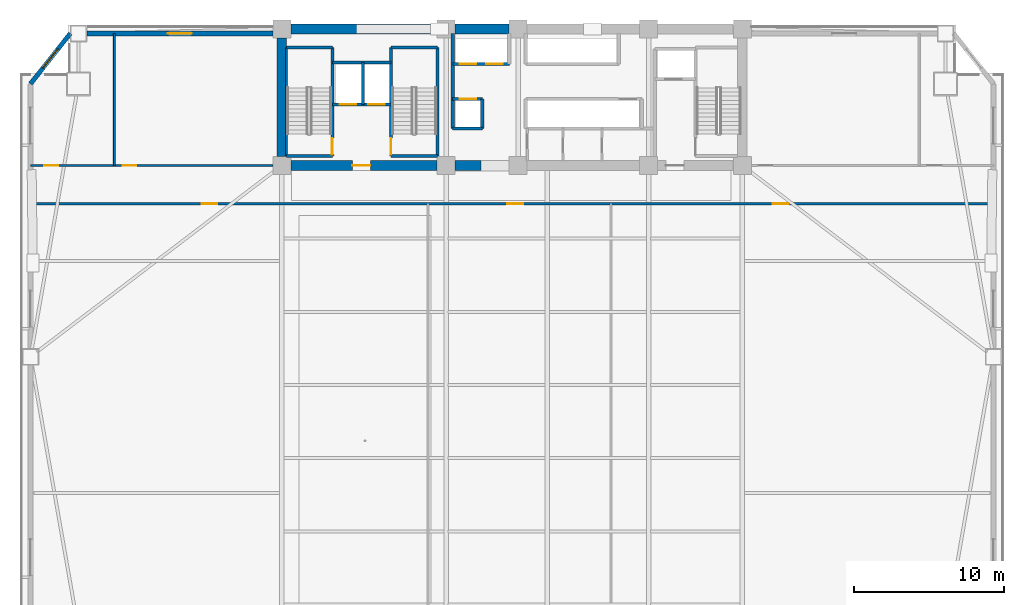
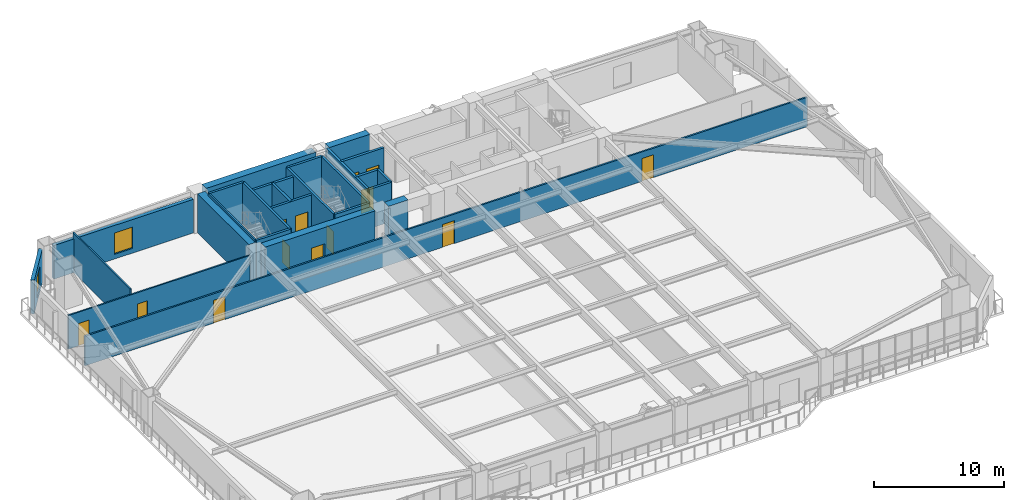
# One storey, part 9 of 17: 26 walls, 13 doors, 2 windows, 15 openings.
"""IFC4 building model written with IfcOpenShell, lengths in metres."""

import ifcopenshell
import ifcopenshell.guid

model = None  # the IFC model being written
_history = None  # IfcOwnerHistory: only IFC2X3 demands one
_inside = {}  # id of a spatial element -> (the spatial element, [elements in it])
_under = {}  # id of a project, library or spatial element -> (it, [spatial elements below it])
_declared = {}  # id of a project -> (the project, [libraries it declares])
_typed = {}  # id of a type object -> (the type object, [elements of that type])
_made_of = {}  # id of a material, layer set ... -> (it, [elements and type objects made of it])


def new_model(schema):
    """Start an empty IFC model of exactly this schema.

    Asked for "IFC4X3", IfcOpenShell would pick the latest addendum, in which some entities
    have other attributes; the version numbers below select the first issue.
    IFC2X3 requires an IfcOwnerHistory on every rooted entity: one is made here for all.
    """
    global model, _history
    if schema == "IFC4X3":
        model = ifcopenshell.file(schema_version=(4, 3, 0, 0))
    else:
        model = ifcopenshell.file(schema=schema)
    _inside.clear()
    _under.clear()
    _declared.clear()
    _typed.clear()
    _made_of.clear()
    _history = None
    if model.schema == "IFC2X3":
        org = make("IfcOrganization", Name="unknown")
        user = make(
            "IfcPersonAndOrganization",
            ThePerson=make("IfcPerson", FamilyName="unknown"),
            TheOrganization=org,
        )
        app = make(
            "IfcApplication",
            ApplicationDeveloper=org,
            Version="unknown",
            ApplicationFullName="unknown",
            ApplicationIdentifier="unknown",
        )
        _history = make(
            "IfcOwnerHistory",
            OwningUser=user,
            OwningApplication=app,
            ChangeAction="ADDED",
            CreationDate=0,
        )
    return model


def make(cls, **values):
    """One entity of the class cls with the attributes given. An attribute that is None is left unset."""
    return model.create_entity(
        cls, **{name: value for name, value in values.items() if value is not None}
    )


def rooted(cls, **values):
    """An entity with a GlobalId (a new one), such as an element, a storey or a relation."""
    return make(cls, GlobalId=ifcopenshell.guid.new(), OwnerHistory=_history, **values)


def si_unit(unit_type, name, prefix=None):
    """IfcSIUnit, for example si_unit("LENGTHUNIT", "METRE", prefix="MILLI")."""
    return make("IfcSIUnit", UnitType=unit_type, Prefix=prefix, Name=name)


def assignment(units):
    """IfcUnitAssignment: the units of a project."""
    return None if units is None else make("IfcUnitAssignment", Units=units)


def point(xyz):
    """IfcCartesianPoint."""
    return None if xyz is None else make("IfcCartesianPoint", Coordinates=xyz)


def direction(xyz):
    """IfcDirection."""
    return None if xyz is None else make("IfcDirection", DirectionRatios=xyz)


def frame(location, z_axis=None, x_axis=None):
    """IfcAxis2Placement3D, a coordinate frame: its origin and axes. An axis left out is left unset."""
    return make(
        "IfcAxis2Placement3D",
        Location=point(location),
        Axis=direction(z_axis),
        RefDirection=direction(x_axis),
    )


def frame_2d(location, x_axis=None):
    """IfcAxis2Placement2D, a coordinate frame in the plane: its origin and x axis."""
    return make(
        "IfcAxis2Placement2D", Location=point(location), RefDirection=direction(x_axis)
    )


def origin():
    """The frame at (0, 0, 0) with its axes left unset."""
    return frame((0.0, 0.0, 0.0))


def place(relative_to, where):
    """IfcLocalPlacement: puts the frame where relative to a parent placement (None: the world)."""
    return make(
        "IfcLocalPlacement", PlacementRelTo=relative_to, RelativePlacement=where
    )


def context(
    kind, dimensions, precision=None, world=None, true_north=None, identifier=None
):
    """IfcGeometricRepresentationContext, for example the 3D "Model" context."""
    return make(
        "IfcGeometricRepresentationContext",
        ContextIdentifier=identifier,
        ContextType=kind,
        CoordinateSpaceDimension=dimensions,
        Precision=precision,
        WorldCoordinateSystem=world,
        TrueNorth=true_north,
    )


def subcontext(parent, identifier, kind, view, scale=None):
    """IfcGeometricRepresentationSubContext, for example "Body" below "Model"."""
    return make(
        "IfcGeometricRepresentationSubContext",
        ContextIdentifier=identifier,
        ContextType=kind,
        ParentContext=parent,
        TargetScale=scale,
        TargetView=view,
    )


def project(units=None, contexts=None):
    """IfcProject with its units and contexts."""
    return rooted(
        "IfcProject",
        Name="project",
        RepresentationContexts=contexts,
        UnitsInContext=assignment(units),
    )


def spatial(cls, under=None, at=None, **own):
    """A site, building, storey or space (cls), placed at a placement, below another one or the project."""
    s = rooted(cls, ObjectPlacement=at, **own)
    if under is not None:
        _under.setdefault(under.id(), (under, []))[1].append(s)
    return s


def profile(cls, at=None, kind="AREA", **sizes):
    """A parametric profile (cls). Its sizes go by their IFC names, for example OverallWidth=200.0."""
    return make(cls, ProfileType=kind, Position=at, **sizes)


def rectangle(**sizes):
    """IfcRectangleProfileDef."""
    return profile("IfcRectangleProfileDef", **sizes)


def extrude(swept, where, along, depth):
    """IfcExtrudedAreaSolid: the profile swept, set in the frame where, extruded along a direction by depth."""
    return make(
        "IfcExtrudedAreaSolid",
        SweptArea=swept,
        Position=where,
        ExtrudedDirection=direction(along),
        Depth=depth,
    )


def shape(context_of_items, identifier, shape_type, items):
    """IfcShapeRepresentation: the items that make up one representation, for example the "Body"."""
    return make(
        "IfcShapeRepresentation",
        ContextOfItems=context_of_items,
        RepresentationIdentifier=identifier,
        RepresentationType=shape_type,
        Items=items,
    )


def source(mapping_origin, context_of_items, identifier, shape_type, items):
    """IfcRepresentationMap: a shape defined once, which mapped items show again and again."""
    return make(
        "IfcRepresentationMap",
        MappingOrigin=mapping_origin,
        MappedRepresentation=shape(context_of_items, identifier, shape_type, items),
    )


def transform(
    local_origin,
    x_axis=None,
    y_axis=None,
    z_axis=None,
    scale=None,
    scale2=None,
    scale3=None,
    uniform=True,
):
    """IfcCartesianTransformationOperator3D, or its non-uniform kind. x_axis, y_axis, z_axis: its Axis1, 2, 3."""
    if uniform:
        return make(
            "IfcCartesianTransformationOperator3D",
            Axis1=direction(x_axis),
            Axis2=direction(y_axis),
            LocalOrigin=point(local_origin),
            Scale=scale,
            Axis3=direction(z_axis),
        )
    return make(
        "IfcCartesianTransformationOperator3DnonUniform",
        Axis1=direction(x_axis),
        Axis2=direction(y_axis),
        LocalOrigin=point(local_origin),
        Scale=scale,
        Axis3=direction(z_axis),
        Scale2=scale2,
        Scale3=scale3,
    )


def mapped(mapping_source, mapping_target):
    """IfcMappedItem: shows the shape of a source again, moved by a transform."""
    return make(
        "IfcMappedItem", MappingSource=mapping_source, MappingTarget=mapping_target
    )


def material(Name=None, Category=None):
    """IfcMaterial."""
    return make("IfcMaterial", Name=Name, Category=Category)


def layer(
    of_material, thickness, ventilated=None, Name=None, Category=None, Priority=None
):
    """IfcMaterialLayer: one layer of a wall or slab, of a material (None: an air gap)."""
    return make(
        "IfcMaterialLayer",
        Material=of_material,
        LayerThickness=thickness,
        IsVentilated=ventilated,
        Name=Name,
        Category=Category,
        Priority=Priority,
    )


def layer_set(layers, Name=None):
    """IfcMaterialLayerSet."""
    return make("IfcMaterialLayerSet", MaterialLayers=layers, LayerSetName=Name)


def made_of(thing, what):
    """Note that an element or type object is made of a material, layer set ...; save() writes the relation."""
    if what is not None:
        _made_of.setdefault(what.id(), (what, []))[1].append(thing)
    return thing


def type_object(cls, material=None, **own):
    """A type object (cls), such as IfcWallType, which elements share."""
    return made_of(rooted(cls, **own), material)


def element(
    cls,
    number,
    at=None,
    inside=None,
    cuts=None,
    type_object=None,
    material=None,
    context=None,
    identifier="Body",
    shape_type=None,
    held_by="IfcProductDefinitionShape",
    body=None,
    shapes=None,
    **own,
):
    """One element of the class cls, such as IfcWall. Its Tag is "e" and its number.

    at: its placement. inside: the storey or other place that contains it. cuts: it is an
    opening in that element (IfcRelVoidsElement). A single representation is given by context,
    identifier, shape_type and body (its items); several are given by shapes. held_by: the class
    of the entity that holds the representations. save() writes the other relations.
    """
    e = rooted(cls, Tag="e%d" % number, ObjectPlacement=at, **own)
    if body is not None:
        shapes = [shape(context, identifier, shape_type, body)]
    if shapes is not None:
        e.Representation = make(held_by, Representations=shapes)
    if inside is not None:
        _inside.setdefault(inside.id(), (inside, []))[1].append(e)
    if cuts is not None:
        rooted(
            "IfcRelVoidsElement", RelatingBuildingElement=cuts, RelatedOpeningElement=e
        )
    if type_object is not None:
        _typed.setdefault(type_object.id(), (type_object, []))[1].append(e)
    return made_of(e, material)


def fill(opening, filler):
    """IfcRelFillsElement: the door or window that sits in an opening."""
    return rooted(
        "IfcRelFillsElement",
        RelatingOpeningElement=opening,
        RelatedBuildingElement=filler,
    )


def aggregate(whole, parts):
    """IfcRelAggregates: a whole, such as a stair, and the parts it consists of."""
    return rooted("IfcRelAggregates", RelatingObject=whole, RelatedObjects=parts)


def save(model, path):
    """Write the relations noted so far, then the file.

    IfcRelAggregates (storeys below a building ...), IfcRelContainedInSpatialStructure (elements
    in a storey), IfcRelDefinesByType, IfcRelAssociatesMaterial and IfcRelDeclares: one each for
    every whole, place, type object, material and project.
    """
    for whole, parts in _under.values():
        aggregate(whole, parts)
    for where, things in _inside.values():
        rooted(
            "IfcRelContainedInSpatialStructure",
            RelatedElements=things,
            RelatingStructure=where,
        )
    for kind, things in _typed.values():
        rooted("IfcRelDefinesByType", RelatedObjects=things, RelatingType=kind)
    for what, things in _made_of.values():
        rooted("IfcRelAssociatesMaterial", RelatedObjects=things, RelatingMaterial=what)
    for by, libraries in _declared.values():
        rooted("IfcRelDeclares", RelatingContext=by, RelatedDefinitions=libraries)
    model.write(path)


model = new_model("IFC4")

# Units and contexts
model_context = context("Model", 3, precision=1e-05, world=origin(), true_north=direction((0.0, 1.0)))
body_context = subcontext(model_context, "Body", "Model", "MODEL_VIEW")
ifc_project = project(units=[si_unit("LENGTHUNIT", "METRE"), si_unit("AREAUNIT", "SQUARE_METRE"), si_unit("VOLUMEUNIT", "CUBIC_METRE"), si_unit("PLANEANGLEUNIT", "RADIAN"), si_unit("MASSUNIT", "GRAM", prefix="KILO")], contexts=[model_context])

# Site, building, storey
site_placement = place(None, origin())
site = spatial("IfcSite", under=ifc_project, at=site_placement, CompositionType="ELEMENT")
building_placement = place(site_placement, origin())
building = spatial("IfcBuilding", under=site, at=building_placement, Name="Giltprow Tower", CompositionType="ELEMENT")
storey_placement = place(building_placement, frame((0.0, 0.0, 29.300048828125)))
storey = spatial("IfcBuildingStorey", under=building, at=storey_placement, Name="L07", CompositionType="ELEMENT", Elevation=29.300048828125)

# Wall, opening, window
ifc_material_1 = material(Name="Precast concrete C40", Category="concrete")
ifc_layer_1 = layer(ifc_material_1, 0.300048828125, Name="Precast concrete C40")
ifc_layer_set_1 = layer_set([ifc_layer_1], Name="Precast concrete C40")
wall_type_1 = type_object("IfcWallType", Name="EW-NOTCH-CHAMFER-300", PredefinedType="SOLIDWALL", material=ifc_layer_set_1)
wall_1_placement = place(storey_placement, frame((5.75, 46.25, 0.0), z_axis=(0.0, 0.0, 1.0), x_axis=(-0.620377885234, -0.784303053361, 0.0)))
wall_1 = element("IfcWall", 1, at=wall_1_placement, inside=storey, type_object=wall_type_1, Name="L07 Corner Notch Wall NW", PredefinedType="SOLIDWALL", context=body_context, shape_type="SweptSolid", body=[
    extrude(rectangle(XDim=4.271484375, YDim=0.300048828125, at=frame_2d((2.1357421875, 0.0))), origin(), (0.0, 0.0, 1.0), 3.159912109375),
])
opening_1_placement = place(wall_1_placement, frame((1.3359375, 0.0, 0.449951171875)))
opening_1 = element("IfcOpeningElement", 2, at=opening_1_placement, cuts=wall_1, Name="Opening WN17", PredefinedType="OPENING", context=body_context, shape_type="SweptSolid", body=[
    extrude(rectangle(XDim=1.60009765625, YDim=2.0, at=frame_2d((0.800048828125, 1.0))), frame((0.0, 0.159912109375, 0.0), z_axis=(0.0, -1.0, 0.0), x_axis=(1.0, 0.0, 0.0)), (0.0, 0.0, 1.0), 0.320068359375),
])
ifc_material_2 = material(Name="Insulated glass", Category="glass")
window_type = type_object("IfcWindowType", Name="WN-COR-1600x2000", PartitioningType="SINGLE_PANEL", PredefinedType="WINDOW", material=ifc_material_2)
shared_shape_1 = source(origin(), body_context, "Body", "SweptSolid", [
    extrude(rectangle(XDim=1.60009765625, YDim=2.0, at=frame_2d((0.800048828125, 1.0))), frame((0.0, 0.030029296875, 0.0), z_axis=(0.0, -1.0, 0.0), x_axis=(1.0, 0.0, 0.0)), (0.0, 0.0, 1.0), 0.06005859375),
])
window_1_placement = place(opening_1_placement, origin())
window_1 = element("IfcWindow", 3, at=window_1_placement, inside=storey, type_object=window_type, Name="L07 Corner Notch Window NW", OverallHeight=2.0, OverallWidth=1.60009765625, PartitioningType="SINGLE_PANEL", PredefinedType="WINDOW", context=body_context, shape_type="MappedRepresentation", body=[
    mapped(shared_shape_1, transform((0.0, 0.0, 0.0), x_axis=(1.0, 0.0, 0.0), y_axis=(0.0, 1.0, 0.0), z_axis=(0.0, 0.0, 1.0), scale=1.0)),
])
fill(opening_1, window_1)

ifc_layer_2 = layer(ifc_material_1, 0.320068359375, Name="Precast concrete C40")
ifc_layer_set_2 = layer_set([ifc_layer_2], Name="Precast concrete C40")
wall_type_2 = type_object("IfcWallType", Name="EW-TOW-STONE-320", PredefinedType="SOLIDWALL", material=ifc_layer_set_2)
wall_2_placement = place(storey_placement, frame((6.85009765625, 46.25, 0.0), z_axis=(0.0, 0.0, 1.0), x_axis=(1.0, 0.0, 0.0)))
wall_2 = element("IfcWall", 4, at=wall_2_placement, inside=storey, type_object=wall_type_2, Name="L07 North-West Wing Wall", PredefinedType="SOLIDWALL", context=body_context, shape_type="SweptSolid", body=[
    extrude(rectangle(XDim=12.39990234375, YDim=0.320068359375, at=frame_2d((6.199951171875, 0.0))), origin(), (0.0, 0.0, 1.0), 3.159912109375),
])
opening_2_placement = place(wall_2_placement, frame((5.39990234375, 0.0, 0.449951171875)))
opening_2 = element("IfcOpeningElement", 5, at=opening_2_placement, cuts=wall_2, Name="Opening WN17", PredefinedType="OPENING", context=body_context, shape_type="SweptSolid", body=[
    extrude(rectangle(XDim=1.60009765625, YDim=2.0, at=frame_2d((0.800048828125, 1.0))), frame((0.0, 0.169921875, 0.0), z_axis=(0.0, -1.0, 0.0), x_axis=(1.0, 0.0, 0.0)), (0.0, 0.0, 1.0), 0.340087890625),
])
window_2_placement = place(opening_2_placement, origin())
window_2 = element("IfcWindow", 6, at=window_2_placement, inside=storey, type_object=window_type, Name="L07 North-West Window", OverallHeight=2.0, OverallWidth=1.60009765625, PartitioningType="SINGLE_PANEL", PredefinedType="WINDOW", context=body_context, shape_type="MappedRepresentation", body=[
    mapped(shared_shape_1, transform((0.0, 0.0, 0.0), x_axis=(1.0, 0.0, 0.0), y_axis=(0.0, 1.0, 0.0), z_axis=(0.0, 0.0, 1.0), scale=1.0)),
])
fill(opening_2, window_2)

# Wall, openings, doors
ifc_material_3 = material(Name="Gypsum stud partition", Category="gypsum")
ifc_layer_3 = layer(ifc_material_3, 0.14990234375, Name="Gypsum stud partition")
ifc_layer_set_3 = layer_set([ifc_layer_3], Name="Gypsum stud partition")
wall_type_3 = type_object("IfcWallType", Name="IW-CORR-150", PredefinedType="PARTITIONING", material=ifc_layer_set_3)
wall_3_placement = place(storey_placement, frame((3.10009765625, 34.89990234375, 0.0), z_axis=(0.0, 0.0, 1.0), x_axis=(1.0, 0.0, 0.0)))
wall_3 = element("IfcWall", 7, at=wall_3_placement, inside=storey, type_object=wall_type_3, Name="L07 Office Loop Corridor Wall", PredefinedType="PARTITIONING", context=body_context, shape_type="SweptSolid", body=[
    extrude(rectangle(XDim=64.199951171875, YDim=0.14990234375, at=frame_2d((32.10009765625, 0.0))), origin(), (0.0, 0.0, 1.0), 2.764892578125),
])
opening_3_placement = place(wall_3_placement, frame((11.408935546875, 0.0, 0.0)))
opening_3 = element("IfcOpeningElement", 8, at=opening_3_placement, cuts=wall_3, Name="Opening ID31", PredefinedType="OPENING", context=body_context, shape_type="SweptSolid", body=[
    extrude(rectangle(XDim=1.050048828125, YDim=2.14990234375, at=frame_2d((0.52490234375, 1.074951171875))), frame((0.0, 0.0849609375, 0.0), z_axis=(0.0, -1.0, 0.0), x_axis=(1.0, 0.0, 0.0)), (0.0, 0.0, 1.0), 0.169921875),
])
opening_4_placement = place(wall_3_placement, frame((31.787109375, 0.0, 0.0)))
opening_4 = element("IfcOpeningElement", 9, at=opening_4_placement, cuts=wall_3, Name="Opening ID31", PredefinedType="OPENING", context=body_context, shape_type="SweptSolid", body=[
    extrude(rectangle(XDim=1.050048828125, YDim=2.14990234375, at=frame_2d((0.52490234375, 1.074951171875))), frame((0.0, 0.0849609375, 0.0), z_axis=(0.0, -1.0, 0.0), x_axis=(1.0, 0.0, 0.0)), (0.0, 0.0, 1.0), 0.169921875),
])
opening_5_placement = place(wall_3_placement, frame((49.489013671875, 0.0, 0.0)))
opening_5 = element("IfcOpeningElement", 10, at=opening_5_placement, cuts=wall_3, Name="Opening ID31", PredefinedType="OPENING", context=body_context, shape_type="SweptSolid", body=[
    extrude(rectangle(XDim=1.050048828125, YDim=2.14990234375, at=frame_2d((0.52490234375, 1.074951171875))), frame((0.0, 0.0849609375, 0.0), z_axis=(0.0, -1.0, 0.0), x_axis=(1.0, 0.0, 0.0)), (0.0, 0.0, 1.0), 0.169921875),
])
ifc_material_4 = material(Name="Engineered timber", Category="wood")
door_type_1 = type_object("IfcDoorType", Name="DR-SUITE-1050", OperationType="SINGLE_SWING_LEFT", PredefinedType="DOOR", material=ifc_material_4)
shared_shape_2 = source(origin(), body_context, "Body", "SweptSolid", [
    extrude(rectangle(XDim=1.050048828125, YDim=2.14990234375, at=frame_2d((0.52490234375, 1.074951171875))), frame((0.0, 0.02490234375, 0.0), z_axis=(0.0, -1.0, 0.0), x_axis=(1.0, 0.0, 0.0)), (0.0, 0.0, 1.0), 0.050048828125),
])
door_1_placement = place(opening_3_placement, origin())
door_1 = element("IfcDoor", 11, at=door_1_placement, inside=storey, type_object=door_type_1, Name="L07 Open-Plan Harbour Office 1 Door", OperationType="SINGLE_SWING_RIGHT", OverallHeight=2.14990234375, OverallWidth=1.050048828125, PredefinedType="DOOR", context=body_context, shape_type="MappedRepresentation", body=[
    mapped(shared_shape_2, transform((0.0, 0.0, 0.0), x_axis=(1.0, 0.0, 0.0), y_axis=(0.0, 1.0, 0.0), z_axis=(0.0, 0.0, 1.0), scale=1.0)),
])
fill(opening_3, door_1)
door_2_placement = place(opening_4_placement, origin())
door_2 = element("IfcDoor", 12, at=door_2_placement, inside=storey, type_object=door_type_1, Name="L07 Advisory Floorplate Office 2 Door", OperationType="SINGLE_SWING_LEFT", OverallHeight=2.14990234375, OverallWidth=1.050048828125, PredefinedType="DOOR", context=body_context, shape_type="MappedRepresentation", body=[
    mapped(shared_shape_2, transform((0.0, 0.0, 0.0), x_axis=(1.0, 0.0, 0.0), y_axis=(0.0, 1.0, 0.0), z_axis=(0.0, 0.0, 1.0), scale=1.0)),
])
fill(opening_4, door_2)
door_3_placement = place(opening_5_placement, origin())
door_3 = element("IfcDoor", 13, at=door_3_placement, inside=storey, type_object=door_type_1, Name="L07 Trading Floorplate Office 3 Door", OperationType="SINGLE_SWING_RIGHT", OverallHeight=2.14990234375, OverallWidth=1.050048828125, PredefinedType="DOOR", context=body_context, shape_type="MappedRepresentation", body=[
    mapped(shared_shape_2, transform((0.0, 0.0, 0.0), x_axis=(1.0, 0.0, 0.0), y_axis=(0.0, 1.0, 0.0), z_axis=(0.0, 0.0, 1.0), scale=1.0)),
])
fill(opening_5, door_3)

ifc_material_5 = material(Name="Concrete C40", Category="concrete")
ifc_layer_4 = layer(ifc_material_5, 0.219970703125, Name="Concrete C40")
ifc_layer_set_4 = layer_set([ifc_layer_4], Name="Concrete C40")
wall_type_4 = type_object("IfcWallType", Name="IW-SHAFT-220", PredefinedType="SOLIDWALL", material=ifc_layer_set_4)
wall_4_placement = place(storey_placement, frame((23.219970703125, 41.52001953125, 0.0), z_axis=(0.0, 0.0, 1.0), x_axis=(1.0, 0.0, 0.0)))
wall_4 = element("IfcWall", 14, at=wall_4_placement, inside=storey, type_object=wall_type_4, Name="L07 FFL1 and Service Lift Front Wall", PredefinedType="SOLIDWALL", context=body_context, shape_type="SweptSolid", body=[
    extrude(rectangle(XDim=3.919921875, YDim=0.219970703125, at=frame_2d((1.9599609375, 0.0))), origin(), (0.0, 0.0, 1.0), 3.679931640625),
])
opening_6_placement = place(wall_4_placement, frame((0.5, 0.0, 0.0)))
opening_6 = element("IfcOpeningElement", 15, at=opening_6_placement, cuts=wall_4, Name="Opening LD-11", PredefinedType="OPENING", context=body_context, shape_type="SweptSolid", body=[
    extrude(rectangle(XDim=1.10009765625, YDim=2.199951171875, at=frame_2d((0.550048828125, 1.10009765625))), frame((0.0, 0.119873046875, 0.0), z_axis=(0.0, -1.0, 0.0), x_axis=(1.0, 0.0, 0.0)), (0.0, 0.0, 1.0), 0.239990234375),
])
opening_7_placement = place(wall_4_placement, frame((2.39990234375, 0.0, 0.0)))
opening_7 = element("IfcOpeningElement", 16, at=opening_7_placement, cuts=wall_4, Name="Opening LD-11", PredefinedType="OPENING", context=body_context, shape_type="SweptSolid", body=[
    extrude(rectangle(XDim=1.10009765625, YDim=2.199951171875, at=frame_2d((0.550048828125, 1.10009765625))), frame((0.0, 0.119873046875, 0.0), z_axis=(0.0, -1.0, 0.0), x_axis=(1.0, 0.0, 0.0)), (0.0, 0.0, 1.0), 0.239990234375),
])
ifc_material_6 = material(Name="Stainless steel", Category="steel")
door_type_2 = type_object("IfcDoorType", Name="DR-LIFT-LD1100", OperationType="SLIDING_TO_LEFT", PredefinedType="DOOR", material=ifc_material_6)
shared_shape_3 = source(origin(), body_context, "Body", "SweptSolid", [
    extrude(rectangle(XDim=1.10009765625, YDim=2.199951171875, at=frame_2d((0.550048828125, 1.10009765625))), frame((0.0, 0.02490234375, 0.0), z_axis=(0.0, -1.0, 0.0), x_axis=(1.0, 0.0, 0.0)), (0.0, 0.0, 1.0), 0.050048828125),
])
door_4_placement = place(opening_6_placement, origin())
door_4 = element("IfcDoor", 17, at=door_4_placement, inside=storey, type_object=door_type_2, Name="L07 FFL1 Landing Door", OperationType="SLIDING_TO_LEFT", OverallHeight=2.199951171875, OverallWidth=1.10009765625, PredefinedType="DOOR", context=body_context, shape_type="MappedRepresentation", body=[
    mapped(shared_shape_3, transform((0.0, 0.0, 0.0), x_axis=(1.0, 0.0, 0.0), y_axis=(0.0, 1.0, 0.0), z_axis=(0.0, 0.0, 1.0), scale=1.0)),
])
fill(opening_6, door_4)
door_5_placement = place(opening_7_placement, origin())
door_5 = element("IfcDoor", 18, at=door_5_placement, inside=storey, type_object=door_type_2, Name="L07 SVL1 Landing Door", OperationType="SLIDING_TO_LEFT", OverallHeight=2.199951171875, OverallWidth=1.10009765625, PredefinedType="DOOR", context=body_context, shape_type="MappedRepresentation", body=[
    mapped(shared_shape_3, transform((0.0, 0.0, 0.0), x_axis=(1.0, 0.0, 0.0), y_axis=(0.0, 1.0, 0.0), z_axis=(0.0, 0.0, 1.0), scale=1.0)),
])
fill(opening_7, door_5)

# Walls
wall_5_placement = place(storey_placement, frame((25.260009765625, 41.52001953125, 0.0), z_axis=(0.0, 0.0, 1.0), x_axis=(0.0, 1.0, 0.0)))
element("IfcWall", 19, at=wall_5_placement, inside=storey, type_object=wall_type_4, Name="L07 FFL1-SVL1 Shaft Divider", PredefinedType="SOLIDWALL", context=body_context, shape_type="SweptSolid", body=[
    extrude(rectangle(XDim=2.800048828125, YDim=0.219970703125, at=frame_2d((1.39990234375, 0.0))), origin(), (0.0, 0.0, 1.0), 3.679931640625),
])
wall_6_placement = place(storey_placement, frame((23.219970703125, 44.320068359375, 0.0), z_axis=(0.0, 0.0, 1.0), x_axis=(1.0, 0.0, 0.0)))
element("IfcWall", 20, at=wall_6_placement, inside=storey, type_object=wall_type_4, Name="L07 FFL1-SVL1 Back Shaft Wall", PredefinedType="SOLIDWALL", context=body_context, shape_type="SweptSolid", body=[
    extrude(rectangle(XDim=3.919921875, YDim=0.219970703125, at=frame_2d((1.9599609375, 0.0))), origin(), (0.0, 0.0, 1.0), 3.679931640625),
])

# Wall, openings, doors
wall_7_placement = place(storey_placement, frame((31.25, 44.219970703125, 0.0), z_axis=(0.0, 0.0, 1.0), x_axis=(1.0, 0.0, 0.0)))
wall_7 = element("IfcWall", 21, at=wall_7_placement, inside=storey, type_object=wall_type_4, Name="L07 North West Lift Shaft Front Wall", PredefinedType="SOLIDWALL", context=body_context, shape_type="SweptSolid", body=[
    extrude(rectangle(XDim=3.77001953125, YDim=0.219970703125, at=frame_2d((1.885009765625, 0.0))), origin(), (0.0, 0.0, 1.0), 3.679931640625),
])
opening_8_placement = place(wall_7_placement, frame((0.4599609375, 0.0, 0.0)))
opening_8 = element("IfcOpeningElement", 22, at=opening_8_placement, cuts=wall_7, Name="Opening LD-11", PredefinedType="OPENING", context=body_context, shape_type="SweptSolid", body=[
    extrude(rectangle(XDim=1.10009765625, YDim=2.199951171875, at=frame_2d((0.550048828125, 1.10009765625))), frame((0.0, 0.119873046875, 0.0), z_axis=(0.0, -1.0, 0.0), x_axis=(1.0, 0.0, 0.0)), (0.0, 0.0, 1.0), 0.239990234375),
])
opening_9_placement = place(wall_7_placement, frame((2.239990234375, 0.0, 0.0)))
opening_9 = element("IfcOpeningElement", 23, at=opening_9_placement, cuts=wall_7, Name="Opening LD-11", PredefinedType="OPENING", context=body_context, shape_type="SweptSolid", body=[
    extrude(rectangle(XDim=1.10009765625, YDim=2.199951171875, at=frame_2d((0.550048828125, 1.10009765625))), frame((0.0, 0.119873046875, 0.0), z_axis=(0.0, -1.0, 0.0), x_axis=(1.0, 0.0, 0.0)), (0.0, 0.0, 1.0), 0.239990234375),
])
door_6_placement = place(opening_8_placement, origin())
door_6 = element("IfcDoor", 24, at=door_6_placement, inside=storey, type_object=door_type_2, Name="L07 PL-L1 Landing Door", OperationType="SLIDING_TO_LEFT", OverallHeight=2.199951171875, OverallWidth=1.10009765625, PredefinedType="DOOR", context=body_context, shape_type="MappedRepresentation", body=[
    mapped(shared_shape_3, transform((0.0, 0.0, 0.0), x_axis=(1.0, 0.0, 0.0), y_axis=(0.0, 1.0, 0.0), z_axis=(0.0, 0.0, 1.0), scale=1.0)),
])
fill(opening_8, door_6)
door_7_placement = place(opening_9_placement, origin())
door_7 = element("IfcDoor", 25, at=door_7_placement, inside=storey, type_object=door_type_2, Name="L07 PL-L2 Landing Door", OperationType="SLIDING_TO_LEFT", OverallHeight=2.199951171875, OverallWidth=1.10009765625, PredefinedType="DOOR", context=body_context, shape_type="MappedRepresentation", body=[
    mapped(shared_shape_3, transform((0.0, 0.0, 0.0), x_axis=(1.0, 0.0, 0.0), y_axis=(0.0, 1.0, 0.0), z_axis=(0.0, 0.0, 1.0), scale=1.0)),
])
fill(opening_9, door_7)

# Wall, opening, door
wall_8_placement = place(storey_placement, frame((31.25, 41.8798828125, 0.0), z_axis=(0.0, 0.0, 1.0), x_axis=(1.0, 0.0, 0.0)))
wall_8 = element("IfcWall", 26, at=wall_8_placement, inside=storey, type_object=wall_type_4, Name="L07 South West Lift Shaft Front Wall", PredefinedType="SOLIDWALL", context=body_context, shape_type="SweptSolid", body=[
    extrude(rectangle(XDim=1.969970703125, YDim=0.219970703125, at=frame_2d((0.98486328125, 0.0))), origin(), (0.0, 0.0, 1.0), 3.679931640625),
])
opening_10_placement = place(wall_8_placement, frame((0.4599609375, 0.0, 0.0)))
opening_10 = element("IfcOpeningElement", 27, at=opening_10_placement, cuts=wall_8, Name="Opening LD-11", PredefinedType="OPENING", context=body_context, shape_type="SweptSolid", body=[
    extrude(rectangle(XDim=1.10009765625, YDim=2.199951171875, at=frame_2d((0.550048828125, 1.10009765625))), frame((0.0, 0.119873046875, 0.0), z_axis=(0.0, -1.0, 0.0), x_axis=(1.0, 0.0, 0.0)), (0.0, 0.0, 1.0), 0.239990234375),
])
door_8_placement = place(opening_10_placement, origin())
door_8 = element("IfcDoor", 28, at=door_8_placement, inside=storey, type_object=door_type_2, Name="L07 PL-L3 Landing Door", OperationType="SLIDING_TO_LEFT", OverallHeight=2.199951171875, OverallWidth=1.10009765625, PredefinedType="DOOR", context=body_context, shape_type="MappedRepresentation", body=[
    mapped(shared_shape_3, transform((0.0, 0.0, 0.0), x_axis=(1.0, 0.0, 0.0), y_axis=(0.0, 1.0, 0.0), z_axis=(0.0, 0.0, 1.0), scale=1.0)),
])
fill(opening_10, door_8)

# Walls
wall_9_placement = place(storey_placement, frame((31.25, 39.919921875, 0.0), z_axis=(0.0, 0.0, 1.0), x_axis=(1.0, 0.0, 0.0)))
element("IfcWall", 29, at=wall_9_placement, inside=storey, type_object=wall_type_4, Name="L07 Low-Rise South Lift Back Wall", PredefinedType="SOLIDWALL", context=body_context, shape_type="SweptSolid", body=[
    extrude(rectangle(XDim=1.969970703125, YDim=0.219970703125, at=frame_2d((0.98486328125, 0.0))), origin(), (0.0, 0.0, 1.0), 3.679931640625),
])
wall_10_placement = place(storey_placement, frame((33.219970703125, 39.919921875, 0.0), z_axis=(0.0, 0.0, 1.0), x_axis=(0.0, 1.0, 0.0)))
element("IfcWall", 30, at=wall_10_placement, inside=storey, type_object=wall_type_4, Name="L07 Low-Rise South Lift East Closure", PredefinedType="SOLIDWALL", context=body_context, shape_type="SweptSolid", body=[
    extrude(rectangle(XDim=1.9599609375, YDim=0.219970703125, at=frame_2d((0.97998046875, 0.0))), origin(), (0.0, 0.0, 1.0), 3.679931640625),
])
wall_11_placement = place(storey_placement, frame((31.25, 39.919921875, 0.0), z_axis=(0.0, 0.0, 1.0), x_axis=(0.0, 1.0, 0.0)))
element("IfcWall", 31, at=wall_11_placement, inside=storey, type_object=wall_type_4, Name="L07 Lift Bank West Closure", PredefinedType="SOLIDWALL", context=body_context, shape_type="SweptSolid", body=[
    extrude(rectangle(XDim=6.3251953125, YDim=0.219970703125, at=frame_2d((3.16259765625, 0.0))), origin(), (0.0, 0.0, 1.0), 3.679931640625),
])
ifc_material_7 = material(Name="Concrete C45", Category="concrete")
ifc_layer_5 = layer(ifc_material_7, 0.139892578125, Name="Concrete C45")
ifc_layer_set_5 = layer_set([ifc_layer_5], Name="Concrete C45")
wall_type_5 = type_object("IfcWallType", Name="IW-STAIR-140", PredefinedType="SOLIDWALL", material=ifc_layer_set_5)
wall_12_placement = place(storey_placement, frame((20.169921875, 38.070068359375, 0.0), z_axis=(0.0, 0.0, 1.0), x_axis=(0.0, 1.0, 0.0)))
element("IfcWall", 32, at=wall_12_placement, inside=storey, type_object=wall_type_5, Name="L07 Stair ST-1 West Bearing Wall", PredefinedType="SOLIDWALL", context=body_context, shape_type="SweptSolid", body=[
    extrude(rectangle(XDim=7.25, YDim=0.139892578125, at=frame_2d((3.625, 0.0))), origin(), (0.0, 0.0, 1.0), 3.89990234375),
])

# Wall, opening, door
ifc_layer_6 = layer(ifc_material_5, 0.199951171875, Name="Concrete C40")
ifc_layer_set_6 = layer_set([ifc_layer_6], Name="Concrete C40")
wall_type_6 = type_object("IfcWallType", Name="IW-STAIR-200", PredefinedType="SOLIDWALL", material=ifc_layer_set_6)
wall_13_placement = place(storey_placement, frame((23.219970703125, 38.070068359375, 0.0), z_axis=(0.0, 0.0, 1.0), x_axis=(0.0, 1.0, 0.0)))
wall_13 = element("IfcWall", 33, at=wall_13_placement, inside=storey, type_object=wall_type_6, Name="L07 Stair ST-1 East Bearing Wall", PredefinedType="SOLIDWALL", context=body_context, shape_type="SweptSolid", body=[
    extrude(rectangle(XDim=7.25, YDim=0.199951171875, at=frame_2d((3.625, 0.0))), origin(), (0.0, 0.0, 1.0), 3.89990234375),
])
opening_11_placement = place(wall_13_placement, frame((0.110107421875, 0.0, 0.0)))
opening_11 = element("IfcOpeningElement", 34, at=opening_11_placement, cuts=wall_13, Name="Opening ID33", PredefinedType="OPENING", context=body_context, shape_type="SweptSolid", body=[
    extrude(rectangle(XDim=1.10009765625, YDim=2.14990234375, at=frame_2d((0.550048828125, 1.074951171875))), frame((0.0, 0.10986328125, 0.0), z_axis=(0.0, -1.0, 0.0), x_axis=(1.0, 0.0, 0.0)), (0.0, 0.0, 1.0), 0.219970703125),
])
ifc_material_8 = material(Name="Steel fire leaf", Category="steel")
door_type_3 = type_object("IfcDoorType", Name="DR-STAIR-1100", OperationType="SINGLE_SWING_LEFT", PredefinedType="DOOR", material=ifc_material_8)
shared_shape_4 = source(origin(), body_context, "Body", "SweptSolid", [
    extrude(rectangle(XDim=1.10009765625, YDim=2.14990234375, at=frame_2d((0.550048828125, 1.074951171875))), frame((0.0, 0.02490234375, 0.0), z_axis=(0.0, -1.0, 0.0), x_axis=(1.0, 0.0, 0.0)), (0.0, 0.0, 1.0), 0.050048828125),
])
door_9_placement = place(opening_11_placement, origin())
door_9 = element("IfcDoor", 35, at=door_9_placement, inside=storey, type_object=door_type_3, Name="L07 Stair ST-1 Fire Door", OperationType="SINGLE_SWING_RIGHT", OverallHeight=2.14990234375, OverallWidth=1.10009765625, PredefinedType="DOOR", context=body_context, shape_type="MappedRepresentation", body=[
    mapped(shared_shape_4, transform((0.0, 0.0, 0.0), x_axis=(1.0, 0.0, 0.0), y_axis=(0.0, 1.0, 0.0), z_axis=(0.0, 0.0, 1.0), scale=1.0)),
])
fill(opening_11, door_9)

# Walls
for number, where, z_axis, x_axis, name in (
    (36, (20.169921875, 45.320068359375, 0.0), (0.0, 0.0, 1.0), (1.0, 0.0, 0.0), "L07 Stair ST-1 North Bearing Wall"),
    (37, (20.169921875, 38.070068359375, 0.0), (0.0, 0.0, 1.0), (1.0, 0.0, 0.0), "L07 Stair ST-1 South Bearing Wall"),
):
    element("IfcWall", number, at=place(storey_placement, frame(where, z_axis=z_axis, x_axis=x_axis)), inside=storey, type_object=wall_type_6, Name=name, PredefinedType="SOLIDWALL", context=body_context, shape_type="SweptSolid", body=[
        extrude(rectangle(XDim=3.050048828125, YDim=0.199951171875, at=frame_2d((1.52490234375, 0.0))), origin(), (0.0, 0.0, 1.0), 3.89990234375),
    ])

# Wall, opening, door
wall_14_placement = place(storey_placement, frame((27.139892578125, 38.070068359375, 0.0), z_axis=(0.0, 0.0, 1.0), x_axis=(0.0, 1.0, 0.0)))
wall_14 = element("IfcWall", 38, at=wall_14_placement, inside=storey, type_object=wall_type_6, Name="L07 Stair ST-2 West Bearing Wall", PredefinedType="SOLIDWALL", context=body_context, shape_type="SweptSolid", body=[
    extrude(rectangle(XDim=7.25, YDim=0.199951171875, at=frame_2d((3.625, 0.0))), origin(), (0.0, 0.0, 1.0), 3.89990234375),
])
opening_12_placement = place(wall_14_placement, frame((0.110107421875, 0.0, 0.0)))
opening_12 = element("IfcOpeningElement", 39, at=opening_12_placement, cuts=wall_14, Name="Opening ID33", PredefinedType="OPENING", context=body_context, shape_type="SweptSolid", body=[
    extrude(rectangle(XDim=1.10009765625, YDim=2.14990234375, at=frame_2d((0.550048828125, 1.074951171875))), frame((0.0, 0.10986328125, 0.0), z_axis=(0.0, -1.0, 0.0), x_axis=(1.0, 0.0, 0.0)), (0.0, 0.0, 1.0), 0.219970703125),
])
door_10_placement = place(opening_12_placement, origin())
door_10 = element("IfcDoor", 40, at=door_10_placement, inside=storey, type_object=door_type_3, Name="L07 Stair ST-2 Fire Door", OperationType="SINGLE_SWING_LEFT", OverallHeight=2.14990234375, OverallWidth=1.10009765625, PredefinedType="DOOR", context=body_context, shape_type="MappedRepresentation", body=[
    mapped(shared_shape_4, transform((0.0, 0.0, 0.0), x_axis=(1.0, 0.0, 0.0), y_axis=(0.0, 1.0, 0.0), z_axis=(0.0, 0.0, 1.0), scale=1.0)),
])
fill(opening_12, door_10)

# Walls
wall_15_placement = place(storey_placement, frame((30.219970703125, 38.070068359375, 0.0), z_axis=(0.0, 0.0, 1.0), x_axis=(0.0, 1.0, 0.0)))
element("IfcWall", 41, at=wall_15_placement, inside=storey, type_object=wall_type_6, Name="L07 Stair ST-2 East Bearing Wall", PredefinedType="SOLIDWALL", context=body_context, shape_type="SweptSolid", body=[
    extrude(rectangle(XDim=7.25, YDim=0.199951171875, at=frame_2d((3.625, 0.0))), origin(), (0.0, 0.0, 1.0), 3.89990234375),
])
for number, where, z_axis, x_axis, name in (
    (42, (27.139892578125, 45.320068359375, 0.0), (0.0, 0.0, 1.0), (1.0, 0.0, 0.0), "L07 Stair ST-2 North Bearing Wall"),
    (43, (27.139892578125, 38.070068359375, 0.0), (0.0, 0.0, 1.0), (1.0, 0.0, 0.0), "L07 Stair ST-2 South Bearing Wall"),
):
    element("IfcWall", number, at=place(storey_placement, frame(where, z_axis=z_axis, x_axis=x_axis)), inside=storey, type_object=wall_type_6, Name=name, PredefinedType="SOLIDWALL", context=body_context, shape_type="SweptSolid", body=[
        extrude(rectangle(XDim=3.080078125, YDim=0.199951171875, at=frame_2d((1.5400390625, 0.0))), origin(), (0.0, 0.0, 1.0), 3.89990234375),
    ])

# Wall, openings, doors
ifc_material_9 = material(Name="Concrete C30", Category="concrete")
ifc_layer_7 = layer(ifc_material_9, 0.1298828125, Name="Concrete C30")
ifc_layer_set_7 = layer_set([ifc_layer_7], Name="Concrete C30")
wall_type_7 = type_object("IfcWallType", Name="IW-WET-130", PredefinedType="PARTITIONING", material=ifc_layer_set_7)
wall_16_placement = place(storey_placement, frame((3.10009765625, 37.449951171875, 0.0), z_axis=(0.0, 0.0, 1.0), x_axis=(1.0, 0.0, 0.0)))
wall_16 = element("IfcWall", 44, at=wall_16_placement, inside=storey, type_object=wall_type_7, Name="L07 NW Wing South Wall", PredefinedType="PARTITIONING", context=body_context, shape_type="SweptSolid", body=[
    extrude(rectangle(XDim=16.14990234375, YDim=0.1298828125, at=frame_2d((8.074951171875, 0.0))), origin(), (0.0, 0.0, 1.0), 3.1650390625),
])
opening_13_placement = place(wall_16_placement, frame((0.89990234375, 0.0, 0.0)))
opening_13 = element("IfcOpeningElement", 45, at=opening_13_placement, cuts=wall_16, Name="Opening ID11", PredefinedType="OPENING", context=body_context, shape_type="SweptSolid", body=[
    extrude(rectangle(XDim=0.949951171875, YDim=2.10009765625, at=frame_2d((0.47509765625, 1.050048828125))), frame((0.0, 0.074951171875, 0.0), z_axis=(0.0, -1.0, 0.0), x_axis=(1.0, 0.0, 0.0)), (0.0, 0.0, 1.0), 0.14990234375),
])
opening_14_placement = place(wall_16_placement, frame((6.138916015625, 0.0, 0.0)))
opening_14 = element("IfcOpeningElement", 46, at=opening_14_placement, cuts=wall_16, Name="Opening ID15", PredefinedType="OPENING", context=body_context, shape_type="SweptSolid", body=[
    extrude(rectangle(XDim=0.89990234375, YDim=2.10009765625, at=frame_2d((0.449951171875, 1.050048828125))), frame((0.0, 0.074951171875, 0.0), z_axis=(0.0, -1.0, 0.0), x_axis=(1.0, 0.0, 0.0)), (0.0, 0.0, 1.0), 0.14990234375),
])
door_type_4 = type_object("IfcDoorType", Name="DR-WC-900", OperationType="SINGLE_SWING_LEFT", PredefinedType="DOOR", material=ifc_material_4)
shared_shape_5 = source(origin(), body_context, "Body", "SweptSolid", [
    extrude(rectangle(XDim=0.89990234375, YDim=2.10009765625, at=frame_2d((0.449951171875, 1.050048828125))), frame((0.0, 0.02490234375, 0.0), z_axis=(0.0, -1.0, 0.0), x_axis=(1.0, 0.0, 0.0)), (0.0, 0.0, 1.0), 0.050048828125),
])
door_11_placement = place(opening_14_placement, origin())
door_11 = element("IfcDoor", 47, at=door_11_placement, inside=storey, type_object=door_type_4, Name="L07 NW Washroom Door", OperationType="SINGLE_SWING_RIGHT", OverallHeight=2.10009765625, OverallWidth=0.89990234375, PredefinedType="DOOR", context=body_context, shape_type="MappedRepresentation", body=[
    mapped(shared_shape_5, transform((0.0, 0.0, 0.0), x_axis=(1.0, 0.0, 0.0), y_axis=(0.0, 1.0, 0.0), z_axis=(0.0, 0.0, 1.0), scale=1.0)),
])
fill(opening_14, door_11)
door_type_5 = type_object("IfcDoorType", Name="DR-ROOM-950", OperationType="SINGLE_SWING_RIGHT", PredefinedType="DOOR", material=ifc_material_4)
shared_shape_6 = source(origin(), body_context, "Body", "SweptSolid", [
    extrude(rectangle(XDim=0.949951171875, YDim=2.10009765625, at=frame_2d((0.47509765625, 1.050048828125))), frame((0.0, 0.02490234375, 0.0), z_axis=(0.0, -1.0, 0.0), x_axis=(1.0, 0.0, 0.0)), (0.0, 0.0, 1.0), 0.050048828125),
])
door_12_placement = place(opening_13_placement, origin())
door_12 = element("IfcDoor", 48, at=door_12_placement, inside=storey, type_object=door_type_5, Name="L07 West Tenant Office West Door", OperationType="SINGLE_SWING_LEFT", OverallHeight=2.10009765625, OverallWidth=0.949951171875, PredefinedType="DOOR", context=body_context, shape_type="MappedRepresentation", body=[
    mapped(shared_shape_6, transform((0.0, 0.0, 0.0), x_axis=(1.0, 0.0, 0.0), y_axis=(0.0, 1.0, 0.0), z_axis=(0.0, 0.0, 1.0), scale=1.0)),
])
fill(opening_13, door_12)

# Walls
wall_17_placement = place(storey_placement, frame((8.68896484375, 37.449951171875, 0.0), z_axis=(0.0, 0.0, 1.0), x_axis=(0.0, 1.0, 0.0)))
element("IfcWall", 49, at=wall_17_placement, inside=storey, type_object=wall_type_7, Name="L07 NW Wing Divider", PredefinedType="PARTITIONING", context=body_context, shape_type="SweptSolid", body=[
    extrude(rectangle(XDim=8.800048828125, YDim=0.1298828125, at=frame_2d((4.39990234375, 0.0))), origin(), (0.0, 0.0, 1.0), 3.679931640625),
])
ifc_material_10 = material(Name="Concrete C60", Category="concrete")
ifc_layer_8 = layer(ifc_material_10, 0.64990234375, Name="Concrete C60")
ifc_layer_set_8 = layer_set([ifc_layer_8], Name="Concrete C60")
wall_type_8 = type_object("IfcWallType", Name="SW-EXT-650-C60", PredefinedType="SHEAR", material=ifc_layer_set_8)
wall_18_placement = place(storey_placement, frame((20.449951171875, 46.550048828125, 0.0), z_axis=(0.0, 0.0, 1.0), x_axis=(1.0, 0.0, 0.0)))
element("IfcWall", 50, at=wall_18_placement, inside=storey, type_object=wall_type_8, Name="L07 North Rear Core Shear Wall 1", PredefinedType="SHEAR", context=body_context, shape_type="SweptSolid", body=[
    extrude(rectangle(XDim=9.75, YDim=0.64990234375, at=frame_2d((4.875, 0.0))), origin(), (0.0, 0.0, 1.0), 3.679931640625),
])
wall_19_placement = place(storey_placement, frame((31.39990234375, 46.550048828125, 0.0), z_axis=(0.0, 0.0, 1.0), x_axis=(1.0, 0.0, 0.0)))
element("IfcWall", 51, at=wall_19_placement, inside=storey, type_object=wall_type_8, Name="L07 North Rear Core Shear Wall 2", PredefinedType="SHEAR", context=body_context, shape_type="SweptSolid", body=[
    extrude(rectangle(XDim=3.60009765625, YDim=0.64990234375, at=frame_2d((1.800048828125, 0.0))), origin(), (0.0, 0.0, 1.0), 3.679931640625),
])

# Wall, opening, door
ifc_layer_9 = layer(ifc_material_10, 0.64990234375, Name="Concrete C60")
ifc_layer_set_9 = layer_set([ifc_layer_9], Name="Concrete C60")
wall_type_9 = type_object("IfcWallType", Name="SW-INT-650-C60", PredefinedType="SHEAR", material=ifc_layer_set_9)
wall_20_placement = place(storey_placement, frame((20.449951171875, 37.449951171875, 0.0), z_axis=(0.0, 0.0, 1.0), x_axis=(1.0, 0.0, 0.0)))
wall_20 = element("IfcWall", 52, at=wall_20_placement, inside=storey, type_object=wall_type_9, Name="L07 South Rear Core Shear Wall West", PredefinedType="SHEAR", context=body_context, shape_type="SweptSolid", body=[
    extrude(rectangle(XDim=9.75, YDim=0.64990234375, at=frame_2d((4.875, 0.0))), origin(), (0.0, 0.0, 1.0), 3.679931640625),
])
opening_15_placement = place(wall_20_placement, frame((4.10009765625, 0.0, 0.0)))
opening_15 = element("IfcOpeningElement", 53, at=opening_15_placement, cuts=wall_20, Name="Opening ID19", PredefinedType="OPENING", context=body_context, shape_type="SweptSolid", body=[
    extrude(rectangle(XDim=1.199951171875, YDim=2.14990234375, at=frame_2d((0.60009765625, 1.074951171875))), frame((0.0, 0.3349609375, 0.0), z_axis=(0.0, -1.0, 0.0), x_axis=(1.0, 0.0, 0.0)), (0.0, 0.0, 1.0), 0.669921875),
])
door_type_6 = type_object("IfcDoorType", Name="DR-FFLOBBY-1200", OperationType="SINGLE_SWING_RIGHT", PredefinedType="DOOR", material=ifc_material_8)
shared_shape_7 = source(origin(), body_context, "Body", "SweptSolid", [
    extrude(rectangle(XDim=1.199951171875, YDim=2.14990234375, at=frame_2d((0.60009765625, 1.074951171875))), frame((0.0, 0.02490234375, 0.0), z_axis=(0.0, -1.0, 0.0), x_axis=(1.0, 0.0, 0.0)), (0.0, 0.0, 1.0), 0.050048828125),
])
door_13_placement = place(opening_15_placement, origin())
door_13 = element("IfcDoor", 54, at=door_13_placement, inside=storey, type_object=door_type_6, Name="L07 West Firefighting Lobby Entry Door", OperationType="SINGLE_SWING_LEFT", OverallHeight=2.14990234375, OverallWidth=1.199951171875, PredefinedType="DOOR", context=body_context, shape_type="MappedRepresentation", body=[
    mapped(shared_shape_7, transform((0.0, 0.0, 0.0), x_axis=(1.0, 0.0, 0.0), y_axis=(0.0, 1.0, 0.0), z_axis=(0.0, 0.0, 1.0), scale=1.0)),
])
fill(opening_15, door_13)

# Walls
wall_21_placement = place(storey_placement, frame((31.39990234375, 37.449951171875, 0.0), z_axis=(0.0, 0.0, 1.0), x_axis=(1.0, 0.0, 0.0)))
element("IfcWall", 55, at=wall_21_placement, inside=storey, type_object=wall_type_9, Name="L07 South Rear Core Shear Wall Mid-West", PredefinedType="SHEAR", context=body_context, shape_type="SweptSolid", body=[
    extrude(rectangle(XDim=1.75, YDim=0.64990234375, at=frame_2d((0.875, 0.0))), origin(), (0.0, 0.0, 1.0), 3.679931640625),
])
wall_22_placement = place(storey_placement, frame((19.85009765625, 38.050048828125, 0.0), z_axis=(0.0, 0.0, 1.0), x_axis=(0.0, 1.0, 0.0)))
element("IfcWall", 56, at=wall_22_placement, inside=storey, type_object=wall_type_9, Name="L07 W Rear Core Shear Wall", PredefinedType="SHEAR", context=body_context, shape_type="SweptSolid", body=[
    extrude(rectangle(XDim=7.89990234375, YDim=0.64990234375, at=frame_2d((3.949951171875, 0.0))), origin(), (0.0, 0.0, 1.0), 3.679931640625),
])

save(model, "model.ifc")
